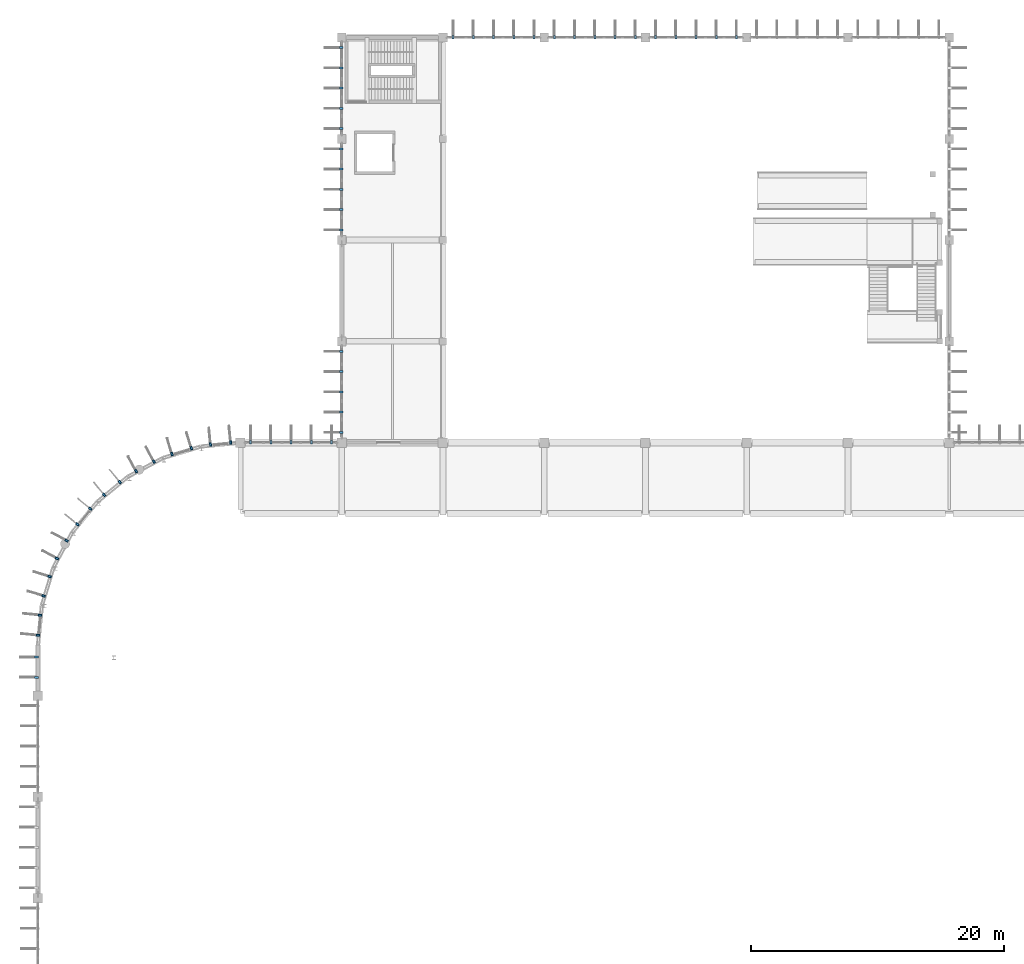
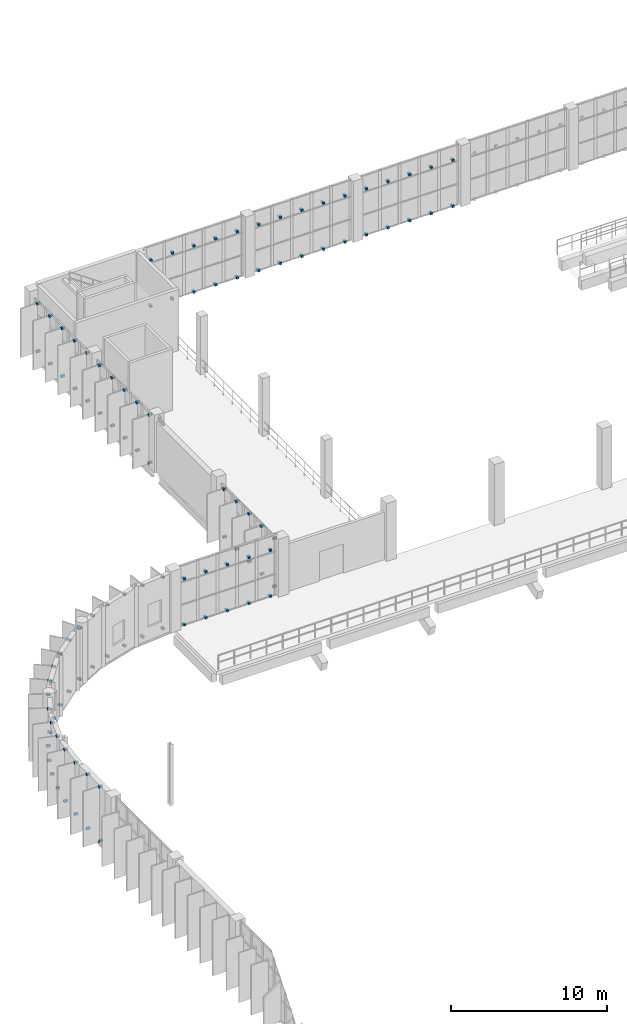
# One storey, part 82 of 93: 106 discrete accessories.
"""IFC4 building model written with IfcOpenShell, lengths in metres."""

import ifcopenshell
import ifcopenshell.guid

model = None  # the IFC model being written
_history = None  # IfcOwnerHistory: only IFC2X3 demands one
_inside = {}  # id of a spatial element -> (the spatial element, [elements in it])
_under = {}  # id of a project, library or spatial element -> (it, [spatial elements below it])
_declared = {}  # id of a project -> (the project, [libraries it declares])
_typed = {}  # id of a type object -> (the type object, [elements of that type])
_made_of = {}  # id of a material, layer set ... -> (it, [elements and type objects made of it])


def new_model(schema):
    """Start an empty IFC model of exactly this schema.

    Asked for "IFC4X3", IfcOpenShell would pick the latest addendum, in which some entities
    have other attributes; the version numbers below select the first issue.
    IFC2X3 requires an IfcOwnerHistory on every rooted entity: one is made here for all.
    """
    global model, _history
    if schema == "IFC4X3":
        model = ifcopenshell.file(schema_version=(4, 3, 0, 0))
    else:
        model = ifcopenshell.file(schema=schema)
    _inside.clear()
    _under.clear()
    _declared.clear()
    _typed.clear()
    _made_of.clear()
    _history = None
    if model.schema == "IFC2X3":
        org = make("IfcOrganization", Name="unknown")
        user = make(
            "IfcPersonAndOrganization",
            ThePerson=make("IfcPerson", FamilyName="unknown"),
            TheOrganization=org,
        )
        app = make(
            "IfcApplication",
            ApplicationDeveloper=org,
            Version="unknown",
            ApplicationFullName="unknown",
            ApplicationIdentifier="unknown",
        )
        _history = make(
            "IfcOwnerHistory",
            OwningUser=user,
            OwningApplication=app,
            ChangeAction="ADDED",
            CreationDate=0,
        )
    return model


def make(cls, **values):
    """One entity of the class cls with the attributes given. An attribute that is None is left unset."""
    return model.create_entity(
        cls, **{name: value for name, value in values.items() if value is not None}
    )


def rooted(cls, **values):
    """An entity with a GlobalId (a new one), such as an element, a storey or a relation."""
    return make(cls, GlobalId=ifcopenshell.guid.new(), OwnerHistory=_history, **values)


def si_unit(unit_type, name, prefix=None):
    """IfcSIUnit, for example si_unit("LENGTHUNIT", "METRE", prefix="MILLI")."""
    return make("IfcSIUnit", UnitType=unit_type, Prefix=prefix, Name=name)


def assignment(units):
    """IfcUnitAssignment: the units of a project."""
    return None if units is None else make("IfcUnitAssignment", Units=units)


def point(xyz):
    """IfcCartesianPoint."""
    return None if xyz is None else make("IfcCartesianPoint", Coordinates=xyz)


def direction(xyz):
    """IfcDirection."""
    return None if xyz is None else make("IfcDirection", DirectionRatios=xyz)


def frame(location, z_axis=None, x_axis=None):
    """IfcAxis2Placement3D, a coordinate frame: its origin and axes. An axis left out is left unset."""
    return make(
        "IfcAxis2Placement3D",
        Location=point(location),
        Axis=direction(z_axis),
        RefDirection=direction(x_axis),
    )


def frame_2d(location, x_axis=None):
    """IfcAxis2Placement2D, a coordinate frame in the plane: its origin and x axis."""
    return make(
        "IfcAxis2Placement2D", Location=point(location), RefDirection=direction(x_axis)
    )


def origin():
    """The frame at (0, 0, 0) with its axes left unset."""
    return frame((0.0, 0.0, 0.0))


def origin_2d():
    """The frame at (0, 0) in the plane with its x axis left unset."""
    return frame_2d((0.0, 0.0))


def place(relative_to, where):
    """IfcLocalPlacement: puts the frame where relative to a parent placement (None: the world)."""
    return make(
        "IfcLocalPlacement", PlacementRelTo=relative_to, RelativePlacement=where
    )


def context(
    kind, dimensions, precision=None, world=None, true_north=None, identifier=None
):
    """IfcGeometricRepresentationContext, for example the 3D "Model" context."""
    return make(
        "IfcGeometricRepresentationContext",
        ContextIdentifier=identifier,
        ContextType=kind,
        CoordinateSpaceDimension=dimensions,
        Precision=precision,
        WorldCoordinateSystem=world,
        TrueNorth=true_north,
    )


def subcontext(parent, identifier, kind, view, scale=None):
    """IfcGeometricRepresentationSubContext, for example "Body" below "Model"."""
    return make(
        "IfcGeometricRepresentationSubContext",
        ContextIdentifier=identifier,
        ContextType=kind,
        ParentContext=parent,
        TargetScale=scale,
        TargetView=view,
    )


def project(units=None, contexts=None):
    """IfcProject with its units and contexts."""
    return rooted(
        "IfcProject",
        Name="project",
        RepresentationContexts=contexts,
        UnitsInContext=assignment(units),
    )


def spatial(cls, under=None, at=None, **own):
    """A site, building, storey or space (cls), placed at a placement, below another one or the project."""
    s = rooted(cls, ObjectPlacement=at, **own)
    if under is not None:
        _under.setdefault(under.id(), (under, []))[1].append(s)
    return s


def profile(cls, at=None, kind="AREA", **sizes):
    """A parametric profile (cls). Its sizes go by their IFC names, for example OverallWidth=200.0."""
    return make(cls, ProfileType=kind, Position=at, **sizes)


def rectangle(**sizes):
    """IfcRectangleProfileDef."""
    return profile("IfcRectangleProfileDef", **sizes)


def extrude(swept, where, along, depth):
    """IfcExtrudedAreaSolid: the profile swept, set in the frame where, extruded along a direction by depth."""
    return make(
        "IfcExtrudedAreaSolid",
        SweptArea=swept,
        Position=where,
        ExtrudedDirection=direction(along),
        Depth=depth,
    )


def shape(context_of_items, identifier, shape_type, items):
    """IfcShapeRepresentation: the items that make up one representation, for example the "Body"."""
    return make(
        "IfcShapeRepresentation",
        ContextOfItems=context_of_items,
        RepresentationIdentifier=identifier,
        RepresentationType=shape_type,
        Items=items,
    )


def material(Name=None, Category=None):
    """IfcMaterial."""
    return make("IfcMaterial", Name=Name, Category=Category)


def made_of(thing, what):
    """Note that an element or type object is made of a material, layer set ...; save() writes the relation."""
    if what is not None:
        _made_of.setdefault(what.id(), (what, []))[1].append(thing)
    return thing


def type_object(cls, material=None, **own):
    """A type object (cls), such as IfcWallType, which elements share."""
    return made_of(rooted(cls, **own), material)


def element(
    cls,
    number,
    at=None,
    inside=None,
    cuts=None,
    type_object=None,
    material=None,
    context=None,
    identifier="Body",
    shape_type=None,
    held_by="IfcProductDefinitionShape",
    body=None,
    shapes=None,
    **own,
):
    """One element of the class cls, such as IfcWall. Its Tag is "e" and its number.

    at: its placement. inside: the storey or other place that contains it. cuts: it is an
    opening in that element (IfcRelVoidsElement). A single representation is given by context,
    identifier, shape_type and body (its items); several are given by shapes. held_by: the class
    of the entity that holds the representations. save() writes the other relations.
    """
    e = rooted(cls, Tag="e%d" % number, ObjectPlacement=at, **own)
    if body is not None:
        shapes = [shape(context, identifier, shape_type, body)]
    if shapes is not None:
        e.Representation = make(held_by, Representations=shapes)
    if inside is not None:
        _inside.setdefault(inside.id(), (inside, []))[1].append(e)
    if cuts is not None:
        rooted(
            "IfcRelVoidsElement", RelatingBuildingElement=cuts, RelatedOpeningElement=e
        )
    if type_object is not None:
        _typed.setdefault(type_object.id(), (type_object, []))[1].append(e)
    return made_of(e, material)


def aggregate(whole, parts):
    """IfcRelAggregates: a whole, such as a stair, and the parts it consists of."""
    return rooted("IfcRelAggregates", RelatingObject=whole, RelatedObjects=parts)


def save(model, path):
    """Write the relations noted so far, then the file.

    IfcRelAggregates (storeys below a building ...), IfcRelContainedInSpatialStructure (elements
    in a storey), IfcRelDefinesByType, IfcRelAssociatesMaterial and IfcRelDeclares: one each for
    every whole, place, type object, material and project.
    """
    for whole, parts in _under.values():
        aggregate(whole, parts)
    for where, things in _inside.values():
        rooted(
            "IfcRelContainedInSpatialStructure",
            RelatedElements=things,
            RelatingStructure=where,
        )
    for kind, things in _typed.values():
        rooted("IfcRelDefinesByType", RelatedObjects=things, RelatingType=kind)
    for what, things in _made_of.values():
        rooted("IfcRelAssociatesMaterial", RelatedObjects=things, RelatingMaterial=what)
    for by, libraries in _declared.values():
        rooted("IfcRelDeclares", RelatingContext=by, RelatedDefinitions=libraries)
    model.write(path)


model = new_model("IFC4")

# Units and contexts
model_context = context("Model", 3, precision=1e-05, world=origin(), true_north=direction((0.0, 1.0)))
body_context = subcontext(model_context, "Body", "Model", "MODEL_VIEW")
ifc_project = project(units=[si_unit("LENGTHUNIT", "METRE"), si_unit("AREAUNIT", "SQUARE_METRE"), si_unit("VOLUMEUNIT", "CUBIC_METRE"), si_unit("PLANEANGLEUNIT", "RADIAN"), si_unit("MASSUNIT", "GRAM", prefix="KILO")], contexts=[model_context])

# Site, building, storey
site_placement = place(None, origin())
site = spatial("IfcSite", under=ifc_project, at=site_placement, CompositionType="ELEMENT")
building_placement = place(site_placement, origin())
building = spatial("IfcBuilding", under=site, at=building_placement, Name="Drelvana Railside Aquatics Centre", CompositionType="ELEMENT")
storey_placement = place(building_placement, frame((0.0, 0.0, 5.39990234375)))
storey = spatial("IfcBuildingStorey", under=building, at=storey_placement, Name="L01", CompositionType="ELEMENT", Elevation=5.39990234375)

# Discrete accessories
ifc_material = material(Name="Stainless steel 316 facade bracket", Category="steel")
discrete_accessory_type = type_object("IfcDiscreteAccessoryType", Name="ACC-BRACKET-FIN", PredefinedType="BRACKET", material=ifc_material)
for number, where, z_axis, x_axis, name in (
    (1, (16.800048828125, 84.010009765625, -0.03466796875), (0.0, 0.0, 1.0), (0.0, 1.0, 0.0), "Shading fin bracket BK-0291"),
    (2, (16.800048828125, 84.010009765625, 3.5751953125), (0.0, 0.0, 1.0), (0.0, 1.0, 0.0), "Shading fin bracket BK-0292"),
    (3, (18.39990234375, 84.010009765625, -0.03466796875), (0.0, 0.0, 1.0), (0.0, 1.0, 0.0), "Shading fin bracket BK-0293"),
    (4, (18.39990234375, 84.010009765625, 3.5751953125), (0.0, 0.0, 1.0), (0.0, 1.0, 0.0), "Shading fin bracket BK-0294"),
    (5, (20.0, 84.010009765625, -0.03466796875), (0.0, 0.0, 1.0), (0.0, 1.0, 0.0), "Shading fin bracket BK-0295"),
    (6, (20.0, 84.010009765625, 3.5751953125), (0.0, 0.0, 1.0), (0.0, 1.0, 0.0), "Shading fin bracket BK-0296"),
    (7, (21.60009765625, 84.010009765625, -0.03466796875), (0.0, 0.0, 1.0), (0.0, 1.0, 0.0), "Shading fin bracket BK-0297"),
    (8, (21.60009765625, 84.010009765625, 3.5751953125), (0.0, 0.0, 1.0), (0.0, 1.0, 0.0), "Shading fin bracket BK-0298"),
    (9, (23.199951171875, 84.010009765625, -0.03466796875), (0.0, 0.0, 1.0), (0.0, 1.0, 0.0), "Shading fin bracket BK-0299"),
    (10, (23.199951171875, 84.010009765625, 3.5751953125), (0.0, 0.0, 1.0), (0.0, 1.0, 0.0), "Shading fin bracket BK-0300"),
    (11, (32.800048828125, 116.010009765625, -0.03466796875), (0.0, 0.0, 1.0), (0.0, 1.0, 0.0), "Shading fin bracket BK-0347"),
    (12, (32.800048828125, 116.010009765625, 3.5751953125), (0.0, 0.0, 1.0), (0.0, 1.0, 0.0), "Shading fin bracket BK-0348"),
    (13, (34.39990234375, 116.010009765625, -0.03466796875), (0.0, 0.0, 1.0), (0.0, 1.0, 0.0), "Shading fin bracket BK-0349"),
    (14, (34.39990234375, 116.010009765625, 3.5751953125), (0.0, 0.0, 1.0), (0.0, 1.0, 0.0), "Shading fin bracket BK-0350"),
    (15, (36.0, 116.010009765625, -0.03466796875), (0.0, 0.0, 1.0), (0.0, 1.0, 0.0), "Shading fin bracket BK-0351"),
    (16, (36.0, 116.010009765625, 3.5751953125), (0.0, 0.0, 1.0), (0.0, 1.0, 0.0), "Shading fin bracket BK-0352"),
    (17, (37.60009765625, 116.010009765625, -0.03466796875), (0.0, 0.0, 1.0), (0.0, 1.0, 0.0), "Shading fin bracket BK-0353"),
    (18, (37.60009765625, 116.010009765625, 3.5751953125), (0.0, 0.0, 1.0), (0.0, 1.0, 0.0), "Shading fin bracket BK-0354"),
    (19, (39.199951171875, 116.010009765625, -0.03466796875), (0.0, 0.0, 1.0), (0.0, 1.0, 0.0), "Shading fin bracket BK-0355"),
    (20, (39.199951171875, 116.010009765625, 3.5751953125), (0.0, 0.0, 1.0), (0.0, 1.0, 0.0), "Shading fin bracket BK-0356"),
    (21, (40.800048828125, 116.010009765625, -0.03466796875), (0.0, 0.0, 1.0), (0.0, 1.0, 0.0), "Shading fin bracket BK-0359"),
    (22, (40.800048828125, 116.010009765625, 3.5751953125), (0.0, 0.0, 1.0), (0.0, 1.0, 0.0), "Shading fin bracket BK-0360"),
    (23, (42.39990234375, 116.010009765625, -0.03466796875), (0.0, 0.0, 1.0), (0.0, 1.0, 0.0), "Shading fin bracket BK-0361"),
    (24, (42.39990234375, 116.010009765625, 3.5751953125), (0.0, 0.0, 1.0), (0.0, 1.0, 0.0), "Shading fin bracket BK-0362"),
    (25, (44.0, 116.010009765625, -0.03466796875), (0.0, 0.0, 1.0), (0.0, 1.0, 0.0), "Shading fin bracket BK-0363"),
    (26, (44.0, 116.010009765625, 3.5751953125), (0.0, 0.0, 1.0), (0.0, 1.0, 0.0), "Shading fin bracket BK-0364"),
    (27, (45.60009765625, 116.010009765625, -0.03466796875), (0.0, 0.0, 1.0), (0.0, 1.0, 0.0), "Shading fin bracket BK-0365"),
    (28, (45.60009765625, 116.010009765625, 3.5751953125), (0.0, 0.0, 1.0), (0.0, 1.0, 0.0), "Shading fin bracket BK-0366"),
    (29, (47.199951171875, 116.010009765625, -0.03466796875), (0.0, 0.0, 1.0), (0.0, 1.0, 0.0), "Shading fin bracket BK-0367"),
    (30, (47.199951171875, 116.010009765625, 3.5751953125), (0.0, 0.0, 1.0), (0.0, 1.0, 0.0), "Shading fin bracket BK-0368"),
    (31, (48.800048828125, 116.010009765625, -0.03466796875), (0.0, 0.0, 1.0), (0.0, 1.0, 0.0), "Shading fin bracket BK-0371"),
    (32, (48.800048828125, 116.010009765625, 3.5751953125), (0.0, 0.0, 1.0), (0.0, 1.0, 0.0), "Shading fin bracket BK-0372"),
    (33, (50.39990234375, 116.010009765625, -0.03466796875), (0.0, 0.0, 1.0), (0.0, 1.0, 0.0), "Shading fin bracket BK-0373"),
    (34, (50.39990234375, 116.010009765625, 3.5751953125), (0.0, 0.0, 1.0), (0.0, 1.0, 0.0), "Shading fin bracket BK-0374"),
    (35, (52.0, 116.010009765625, -0.03466796875), (0.0, 0.0, 1.0), (0.0, 1.0, 0.0), "Shading fin bracket BK-0375"),
    (36, (52.0, 116.010009765625, 3.5751953125), (0.0, 0.0, 1.0), (0.0, 1.0, 0.0), "Shading fin bracket BK-0376"),
    (37, (53.60009765625, 116.010009765625, -0.03466796875), (0.0, 0.0, 1.0), (0.0, 1.0, 0.0), "Shading fin bracket BK-0377"),
    (38, (53.60009765625, 116.010009765625, 3.5751953125), (0.0, 0.0, 1.0), (0.0, 1.0, 0.0), "Shading fin bracket BK-0378"),
    (39, (55.199951171875, 116.010009765625, -0.03466796875), (0.0, 0.0, 1.0), (0.0, 1.0, 0.0), "Shading fin bracket BK-0379"),
    (40, (55.199951171875, 116.010009765625, 3.5751953125), (0.0, 0.0, 1.0), (0.0, 1.0, 0.0), "Shading fin bracket BK-0380"),
    (41, (-0.114990234375, 65.449951171875, 0.1650390625), (0.0, 0.0, 1.0), (-1.0, 0.0, 0.0), "Shading fin bracket BK-0547"),
    (42, (-0.114990234375, 65.449951171875, 4.42529296875), (0.0, 0.0, 1.0), (-1.0, 0.0, 0.0), "Shading fin bracket BK-0548"),
    (43, (-0.114990234375, 67.050048828125, 0.1650390625), (0.0, 0.0, 1.0), (-1.0, 0.0, 0.0), "Shading fin bracket BK-0549"),
    (44, (-0.114990234375, 67.050048828125, 4.42529296875), (0.0, 0.0, 1.0), (-1.0, 0.0, 0.0), "Shading fin bracket BK-0550"),
    (45, (15.22705078125, 84.00927734375, 0.21533203125), (0.0, 0.0, 1.0), (-0.09801714033, 0.995184726672, 0.0), "Shading fin bracket BK-0691"),
    (46, (15.22705078125, 84.00927734375, 4.25537109375), (0.0, 0.0, 1.0), (-0.09801714033, 0.995184726672, 0.0), "Shading fin bracket BK-0692"),
    (47, (13.634765625, 83.8525390625, 0.21533203125), (0.0, 0.0, 1.0), (-0.09801714033, 0.995184726672, 0.0), "Shading fin bracket BK-0693"),
    (48, (13.634765625, 83.8525390625, 4.25537109375), (0.0, 0.0, 1.0), (-0.09801714033, 0.995184726672, 0.0), "Shading fin bracket BK-0694"),
    (49, (12.11865234375, 83.55078125, 0.21533203125), (0.0, 0.0, 1.0), (-0.290284677254, 0.956940335732, 0.0), "Shading fin bracket BK-0707"),
    (50, (12.11865234375, 83.55078125, 4.25537109375), (0.0, 0.0, 1.0), (-0.290284677254, 0.956940335732, 0.0), "Shading fin bracket BK-0708"),
    (51, (10.587646484375, 83.08642578125, 0.21533203125), (0.0, 0.0, 1.0), (-0.290284677254, 0.956940335732, 0.0), "Shading fin bracket BK-0709"),
    (52, (10.587646484375, 83.08642578125, 4.25537109375), (0.0, 0.0, 1.0), (-0.290284677254, 0.956940335732, 0.0), "Shading fin bracket BK-0710"),
    (53, (9.159423828125, 82.494873046875, 0.21533203125), (0.0, 0.0, 1.0), (-0.471396736826, 0.881921264348, 0.0), "Shading fin bracket BK-0723"),
    (54, (9.159423828125, 82.494873046875, 4.25537109375), (0.0, 0.0, 1.0), (-0.471396736826, 0.881921264348, 0.0), "Shading fin bracket BK-0724"),
    (55, (7.748291015625, 81.740478515625, 0.21533203125), (0.0, 0.0, 1.0), (-0.471396736826, 0.881921264348, 0.0), "Shading fin bracket BK-0725"),
    (56, (7.748291015625, 81.740478515625, 4.25537109375), (0.0, 0.0, 1.0), (-0.471396736826, 0.881921264348, 0.0), "Shading fin bracket BK-0726"),
    (57, (6.463134765625, 80.8818359375, 0.21533203125), (0.0, 0.0, 1.0), (-0.634393284164, 0.773010453363, 0.0), "Shading fin bracket BK-0739"),
    (58, (6.463134765625, 80.8818359375, 4.25537109375), (0.0, 0.0, 1.0), (-0.634393284164, 0.773010453363, 0.0), "Shading fin bracket BK-0740"),
    (59, (5.226318359375, 79.86669921875, 0.21533203125), (0.0, 0.0, 1.0), (-0.634393284164, 0.773010453363, 0.0), "Shading fin bracket BK-0741"),
    (60, (5.226318359375, 79.86669921875, 4.25537109375), (0.0, 0.0, 1.0), (-0.634393284164, 0.773010453363, 0.0), "Shading fin bracket BK-0742"),
    (61, (4.13330078125, 78.773681640625, 0.21533203125), (0.0, 0.0, 1.0), (-0.773010453363, 0.634393284164, 0.0), "Shading fin bracket BK-0755"),
    (62, (4.13330078125, 78.773681640625, 4.25537109375), (0.0, 0.0, 1.0), (-0.773010453363, 0.634393284164, 0.0), "Shading fin bracket BK-0756"),
    (63, (3.1181640625, 77.536865234375, 0.21533203125), (0.0, 0.0, 1.0), (-0.773010453363, 0.634393284164, 0.0), "Shading fin bracket BK-0757"),
    (64, (3.1181640625, 77.536865234375, 4.25537109375), (0.0, 0.0, 1.0), (-0.773010453363, 0.634393284164, 0.0), "Shading fin bracket BK-0758"),
    (65, (2.259521484375, 76.251708984375, 0.21533203125), (0.0, 0.0, 1.0), (-0.881921264348, 0.471396736826, 0.0), "Shading fin bracket BK-0771"),
    (66, (2.259521484375, 76.251708984375, 4.25537109375), (0.0, 0.0, 1.0), (-0.881921264348, 0.471396736826, 0.0), "Shading fin bracket BK-0772"),
    (67, (1.505126953125, 74.840576171875, 0.21533203125), (0.0, 0.0, 1.0), (-0.881921264348, 0.471396736826, 0.0), "Shading fin bracket BK-0773"),
    (68, (1.505126953125, 74.840576171875, 4.25537109375), (0.0, 0.0, 1.0), (-0.881921264348, 0.471396736826, 0.0), "Shading fin bracket BK-0774"),
    (69, (0.91357421875, 73.412353515625, 0.21533203125), (0.0, 0.0, 1.0), (-0.956940335732, 0.290284677254, 0.0), "Shading fin bracket BK-0787"),
    (70, (0.91357421875, 73.412353515625, 4.25537109375), (0.0, 0.0, 1.0), (-0.956940335732, 0.290284677254, 0.0), "Shading fin bracket BK-0788"),
    (71, (0.44921875, 71.88134765625, 0.21533203125), (0.0, 0.0, 1.0), (-0.956940335732, 0.290284677254, 0.0), "Shading fin bracket BK-0789"),
    (72, (0.44921875, 71.88134765625, 4.25537109375), (0.0, 0.0, 1.0), (-0.956940335732, 0.290284677254, 0.0), "Shading fin bracket BK-0790"),
    (73, (0.1474609375, 70.365234375, 0.21533203125), (0.0, 0.0, 1.0), (-0.995184726672, 0.09801714033, 0.0), "Shading fin bracket BK-0803"),
    (74, (0.1474609375, 70.365234375, 4.25537109375), (0.0, 0.0, 1.0), (-0.995184726672, 0.09801714033, 0.0), "Shading fin bracket BK-0804"),
    (75, (-0.00927734375, 68.77294921875, 0.21533203125), (0.0, 0.0, 1.0), (-0.995184726672, 0.09801714033, 0.0), "Shading fin bracket BK-0805"),
    (76, (-0.00927734375, 68.77294921875, 4.25537109375), (0.0, 0.0, 1.0), (-0.995184726672, 0.09801714033, 0.0), "Shading fin bracket BK-0806"),
    (77, (23.97509765625, 84.800048828125, -0.03466796875), (0.0, 0.0, 1.0), (-1.0, 0.0, 0.0), "Shading fin bracket BK-0875"),
    (78, (23.97509765625, 84.800048828125, 3.72509765625), (0.0, 0.0, 1.0), (-1.0, 0.0, 0.0), "Shading fin bracket BK-0876"),
    (79, (23.97509765625, 86.39990234375, -0.03466796875), (0.0, 0.0, 1.0), (-1.0, 0.0, 0.0), "Shading fin bracket BK-0877"),
    (80, (23.97509765625, 86.39990234375, 3.72509765625), (0.0, 0.0, 1.0), (-1.0, 0.0, 0.0), "Shading fin bracket BK-0878"),
    (81, (23.97509765625, 88.0, -0.03466796875), (0.0, 0.0, 1.0), (-1.0, 0.0, 0.0), "Shading fin bracket BK-0879"),
    (82, (23.97509765625, 88.0, 3.72509765625), (0.0, 0.0, 1.0), (-1.0, 0.0, 0.0), "Shading fin bracket BK-0880"),
    (83, (23.97509765625, 89.60009765625, -0.03466796875), (0.0, 0.0, 1.0), (-1.0, 0.0, 0.0), "Shading fin bracket BK-0881"),
    (84, (23.97509765625, 89.60009765625, 3.72509765625), (0.0, 0.0, 1.0), (-1.0, 0.0, 0.0), "Shading fin bracket BK-0882"),
    (85, (23.97509765625, 91.199951171875, -0.03466796875), (0.0, 0.0, 1.0), (-1.0, 0.0, 0.0), "Shading fin bracket BK-0883"),
    (86, (23.97509765625, 91.199951171875, 3.72509765625), (0.0, 0.0, 1.0), (-1.0, 0.0, 0.0), "Shading fin bracket BK-0884"),
    (87, (23.97509765625, 100.800048828125, -0.03466796875), (0.0, 0.0, 1.0), (-1.0, 0.0, 0.0), "Shading fin bracket BK-0885"),
    (88, (23.97509765625, 100.800048828125, 3.72509765625), (0.0, 0.0, 1.0), (-1.0, 0.0, 0.0), "Shading fin bracket BK-0886"),
    (89, (23.97509765625, 102.39990234375, -0.03466796875), (0.0, 0.0, 1.0), (-1.0, 0.0, 0.0), "Shading fin bracket BK-0887"),
    (90, (23.97509765625, 102.39990234375, 3.72509765625), (0.0, 0.0, 1.0), (-1.0, 0.0, 0.0), "Shading fin bracket BK-0888"),
    (91, (23.97509765625, 104.0, -0.03466796875), (0.0, 0.0, 1.0), (-1.0, 0.0, 0.0), "Shading fin bracket BK-0889"),
    (92, (23.97509765625, 104.0, 3.72509765625), (0.0, 0.0, 1.0), (-1.0, 0.0, 0.0), "Shading fin bracket BK-0890"),
    (93, (23.97509765625, 105.60009765625, -0.03466796875), (0.0, 0.0, 1.0), (-1.0, 0.0, 0.0), "Shading fin bracket BK-0891"),
    (94, (23.97509765625, 105.60009765625, 3.72509765625), (0.0, 0.0, 1.0), (-1.0, 0.0, 0.0), "Shading fin bracket BK-0892"),
    (95, (23.97509765625, 107.199951171875, -0.03466796875), (0.0, 0.0, 1.0), (-1.0, 0.0, 0.0), "Shading fin bracket BK-0893"),
    (96, (23.97509765625, 107.199951171875, 3.72509765625), (0.0, 0.0, 1.0), (-1.0, 0.0, 0.0), "Shading fin bracket BK-0894"),
    (97, (23.97509765625, 108.800048828125, -0.03466796875), (0.0, 0.0, 1.0), (-1.0, 0.0, 0.0), "Shading fin bracket BK-0895"),
    (98, (23.97509765625, 108.800048828125, 3.72509765625), (0.0, 0.0, 1.0), (-1.0, 0.0, 0.0), "Shading fin bracket BK-0896"),
    (99, (23.97509765625, 110.39990234375, -0.03466796875), (0.0, 0.0, 1.0), (-1.0, 0.0, 0.0), "Shading fin bracket BK-0897"),
    (100, (23.97509765625, 110.39990234375, 3.72509765625), (0.0, 0.0, 1.0), (-1.0, 0.0, 0.0), "Shading fin bracket BK-0898"),
    (101, (23.97509765625, 112.0, -0.03466796875), (0.0, 0.0, 1.0), (-1.0, 0.0, 0.0), "Shading fin bracket BK-0899"),
    (102, (23.97509765625, 112.0, 3.72509765625), (0.0, 0.0, 1.0), (-1.0, 0.0, 0.0), "Shading fin bracket BK-0900"),
    (103, (23.97509765625, 113.60009765625, -0.03466796875), (0.0, 0.0, 1.0), (-1.0, 0.0, 0.0), "Shading fin bracket BK-0901"),
    (104, (23.97509765625, 113.60009765625, 3.72509765625), (0.0, 0.0, 1.0), (-1.0, 0.0, 0.0), "Shading fin bracket BK-0902"),
    (105, (23.97509765625, 115.199951171875, -0.03466796875), (0.0, 0.0, 1.0), (-1.0, 0.0, 0.0), "Shading fin bracket BK-0903"),
    (106, (23.97509765625, 115.199951171875, 3.72509765625), (0.0, 0.0, 1.0), (-1.0, 0.0, 0.0), "Shading fin bracket BK-0904"),
):
    element("IfcDiscreteAccessory", number, at=place(storey_placement, frame(where, z_axis=z_axis, x_axis=x_axis)), inside=storey, type_object=discrete_accessory_type, Name=name, PredefinedType="BRACKET", context=body_context, shape_type="SweptSolid", body=[
        extrude(rectangle(XDim=0.280029296875, YDim=0.159912109375, at=origin_2d()), origin(), (0.0, 0.0, 1.0), 0.159912109375),
    ])

save(model, "model.ifc")
